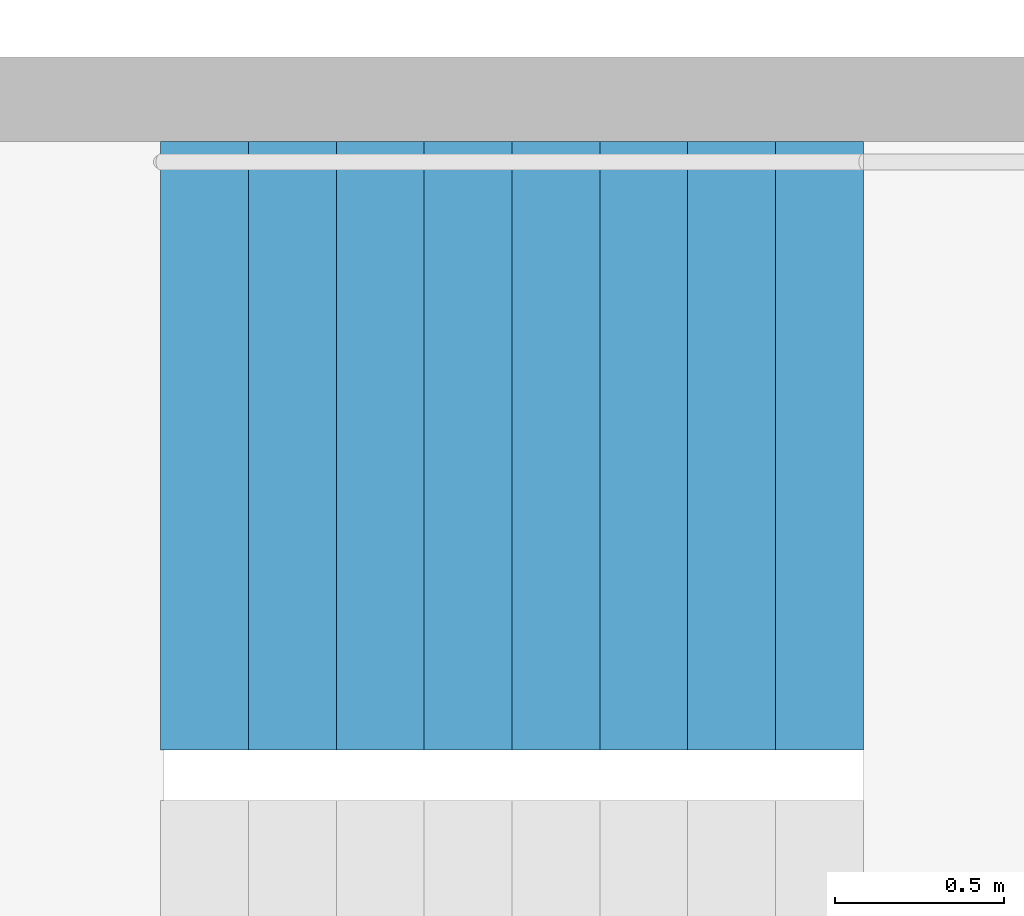
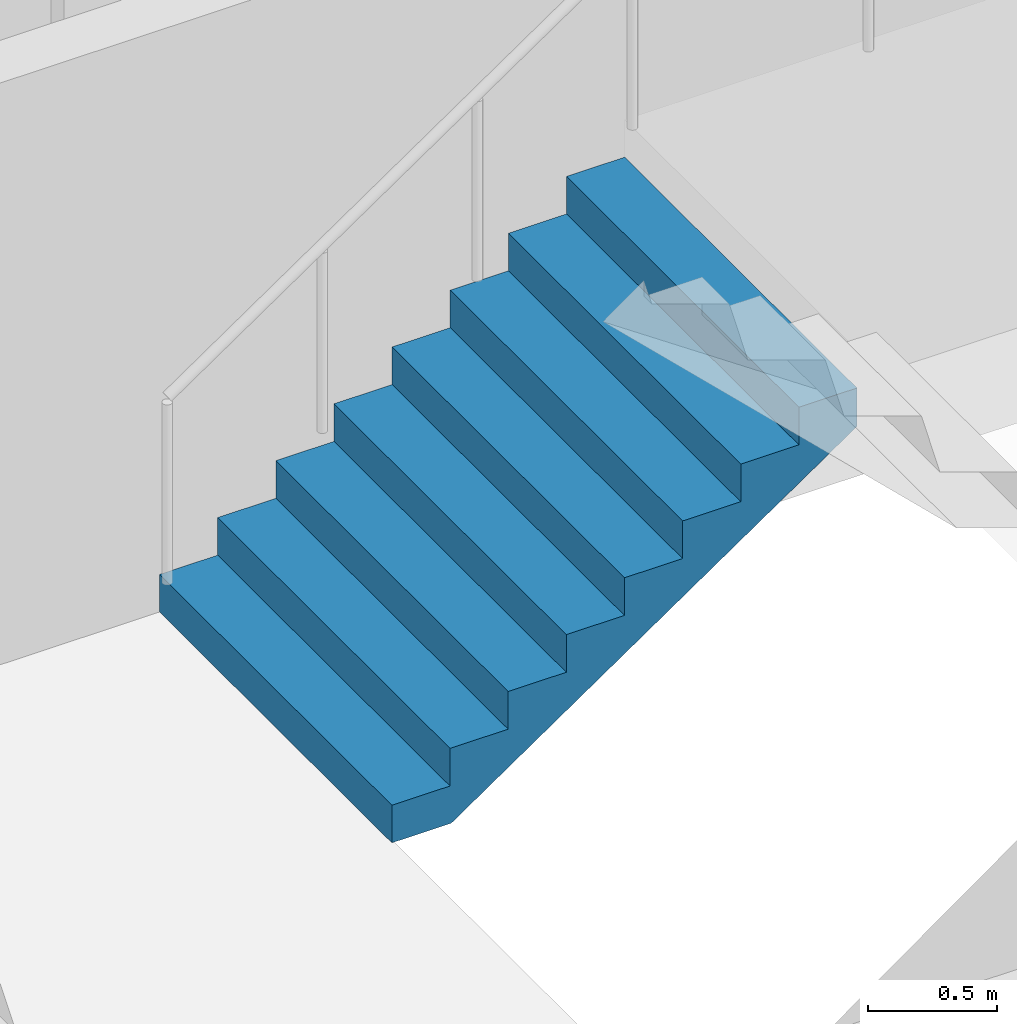
# One storey, part 24 of 27: 1 stair flight, 1 element without a shape of its own.
"""IFC4 building model written with IfcOpenShell, lengths in metres."""

from ifc_helpers import new_model, si_unit, direction, frame, origin, place, context, subcontext, project, spatial, triangles, material, type_object, element, aggregate, save


model = new_model("IFC4")

# Units and contexts
model_context = context("Model", 3, precision=1e-05, world=origin(), true_north=direction((0.0, 1.0)))
body_context = subcontext(model_context, "Body", "Model", "MODEL_VIEW")
ifc_project = project(units=[si_unit("LENGTHUNIT", "METRE"), si_unit("AREAUNIT", "SQUARE_METRE"), si_unit("VOLUMEUNIT", "CUBIC_METRE"), si_unit("PLANEANGLEUNIT", "RADIAN"), si_unit("MASSUNIT", "GRAM", prefix="KILO")], contexts=[model_context])

# Site, building, storey
site_placement = place(None, origin())
site = spatial("IfcSite", under=ifc_project, at=site_placement, CompositionType="ELEMENT")
building_placement = place(site_placement, origin())
building = spatial("IfcBuilding", under=site, at=building_placement, Name="Hakoniwa Tower and Hamabe Station Hall", CompositionType="ELEMENT")
storey_placement = place(building_placement, frame((0.0, 0.0, 166.199951171875)))
storey = spatial("IfcBuildingStorey", under=building, at=storey_placement, Name="L47", CompositionType="ELEMENT", Elevation=166.199951171875)

# Stair, stair flight
ifc_material_1 = material(Name="Concrete C40", Category="concrete")
stair_type = type_object("IfcStairType", Name="ESCAPE STAIR 1800", PredefinedType="HALF_TURN_STAIR", material=ifc_material_1)
stair_placement = place(storey_placement, origin())
stair = element("IfcStair", 1, at=stair_placement, inside=storey, type_object=stair_type, Name="Escape stair ST-4 L47", PredefinedType="HALF_TURN_STAIR")
ifc_material_2 = material(Name="Concrete C40", Category="concrete")
stair_flight_type = type_object("IfcStairFlightType", Name="STAIR FLIGHT 1800", PredefinedType="STRAIGHT", material=ifc_material_2)
stair_flight_placement = place(storey_placement, frame((23.39990234375, -4.64990234375, 0.0), z_axis=(0.0, 0.0, 1.0), x_axis=(1.0, 0.0, 0.0)))
stair_flight = element("IfcStairFlight", 2, at=stair_flight_placement, type_object=stair_flight_type, Name="ST-4 flight 1", NumberOfRisers=9, NumberOfTreads=8, PredefinedType="STRAIGHT", RiserHeight=0.177777778, TreadLength=0.26, context=body_context, shape_type="Tessellation", body=[
    triangles([(0.0, 0.89990234375, 0.0), (0.260009765625, 0.89990234375, 0.0), (0.265625, 0.89990234375, 0.0), (0.52001953125, 0.89990234375, 0.174072265625), (0.780029296875, 0.89990234375, 0.351806640625), (1.0400390625, 0.89990234375, 0.529541015625), (1.300048828125, 0.89990234375, 0.707275390625), (1.56005859375, 0.89990234375, 0.885009765625), (1.820068359375, 0.89990234375, 1.062744140625), (2.080078125, 0.89990234375, 1.24072265625), (2.080078125, 0.89990234375, 1.422119140625), (1.820068359375, 0.89990234375, 1.422119140625), (1.820068359375, 0.89990234375, 1.244384765625), (1.56005859375, 0.89990234375, 1.244384765625), (1.56005859375, 0.89990234375, 1.066650390625), (1.300048828125, 0.89990234375, 1.066650390625), (1.300048828125, 0.89990234375, 0.888916015625), (1.0400390625, 0.89990234375, 0.888916015625), (1.0400390625, 0.89990234375, 0.711181640625), (0.780029296875, 0.89990234375, 0.711181640625), (0.780029296875, 0.89990234375, 0.533447265625), (0.52001953125, 0.89990234375, 0.533447265625), (0.52001953125, 0.89990234375, 0.35546875), (0.265625, 0.89990234375, 0.35546875), (0.260009765625, 0.89990234375, 0.35546875), (0.260009765625, 0.89990234375, 0.177734375), (0.0, 0.89990234375, 0.177734375), (0.0, 0.06005859375, 0.0), (0.260009765625, 0.06005859375, 0.0), (0.265625, 0.06005859375, 0.0), (0.52001953125, 0.06005859375, 0.174072265625), (0.780029296875, 0.06005859375, 0.351806640625), (1.0400390625, 0.06005859375, 0.529541015625), (1.300048828125, 0.06005859375, 0.707275390625), (1.56005859375, 0.06005859375, 0.885009765625), (1.820068359375, 0.06005859375, 1.062744140625), (2.080078125, 0.06005859375, 1.24072265625), (2.080078125, 0.06005859375, 1.422119140625), (1.820068359375, 0.06005859375, 1.422119140625), (1.820068359375, 0.06005859375, 1.244384765625), (1.56005859375, 0.06005859375, 1.244384765625), (1.56005859375, 0.06005859375, 1.066650390625), (1.300048828125, 0.06005859375, 1.066650390625), (1.300048828125, 0.06005859375, 0.888916015625), (1.0400390625, 0.06005859375, 0.888916015625), (1.0400390625, 0.06005859375, 0.711181640625), (0.780029296875, 0.06005859375, 0.711181640625), (0.780029296875, 0.06005859375, 0.533447265625), (0.52001953125, 0.06005859375, 0.533447265625), (0.52001953125, 0.06005859375, 0.35546875), (0.265625, 0.06005859375, 0.35546875), (0.260009765625, 0.06005859375, 0.35546875), (0.260009765625, 0.06005859375, 0.177734375), (0.0, 0.06005859375, 0.177734375), (0.0, 0.04296875, 0.0), (0.260009765625, 0.04296875, 0.0), (0.265625, 0.04296875, 0.0), (0.52001953125, 0.04296875, 0.174072265625), (0.780029296875, 0.04296875, 0.351806640625), (1.0400390625, 0.04296875, 0.529541015625), (1.300048828125, 0.04296875, 0.707275390625), (1.56005859375, 0.04296875, 0.885009765625), (1.820068359375, 0.04296875, 1.062744140625), (2.080078125, 0.04296875, 1.24072265625), (2.080078125, 0.04296875, 1.422119140625), (1.820068359375, 0.04296875, 1.422119140625), (1.820068359375, 0.04296875, 1.244384765625), (1.56005859375, 0.04296875, 1.244384765625), (1.56005859375, 0.04296875, 1.066650390625), (1.300048828125, 0.04296875, 1.066650390625), (1.300048828125, 0.04296875, 0.888916015625), (1.0400390625, 0.04296875, 0.888916015625), (1.0400390625, 0.04296875, 0.711181640625), (0.780029296875, 0.04296875, 0.711181640625), (0.780029296875, 0.04296875, 0.533447265625), (0.52001953125, 0.04296875, 0.533447265625), (0.52001953125, 0.04296875, 0.35546875), (0.265625, 0.04296875, 0.35546875), (0.260009765625, 0.04296875, 0.35546875), (0.260009765625, 0.04296875, 0.177734375), (0.0, 0.04296875, 0.177734375), (0.0, 0.025634765625, 0.0), (0.260009765625, 0.025634765625, 0.0), (0.265625, 0.025634765625, 0.0), (0.52001953125, 0.025634765625, 0.174072265625), (0.780029296875, 0.025634765625, 0.351806640625), (1.0400390625, 0.025634765625, 0.529541015625), (1.300048828125, 0.025634765625, 0.707275390625), (1.56005859375, 0.025634765625, 0.885009765625), (1.820068359375, 0.025634765625, 1.062744140625), (2.080078125, 0.025634765625, 1.24072265625), (2.080078125, 0.025634765625, 1.422119140625), (1.820068359375, 0.025634765625, 1.422119140625), (1.820068359375, 0.025634765625, 1.244384765625), (1.56005859375, 0.025634765625, 1.244384765625), (1.56005859375, 0.025634765625, 1.066650390625), (1.300048828125, 0.025634765625, 1.066650390625), (1.300048828125, 0.025634765625, 0.888916015625), (1.0400390625, 0.025634765625, 0.888916015625), (1.0400390625, 0.025634765625, 0.711181640625), (0.780029296875, 0.025634765625, 0.711181640625), (0.780029296875, 0.025634765625, 0.533447265625), (0.52001953125, 0.025634765625, 0.533447265625), (0.52001953125, 0.025634765625, 0.35546875), (0.265625, 0.025634765625, 0.35546875), (0.260009765625, 0.025634765625, 0.35546875), (0.260009765625, 0.025634765625, 0.177734375), (0.0, 0.025634765625, 0.177734375), (0.0, 0.008544921875, 0.0), (0.260009765625, 0.008544921875, 0.0), (0.265625, 0.008544921875, 0.0), (0.52001953125, 0.008544921875, 0.174072265625), (0.780029296875, 0.008544921875, 0.351806640625), (1.0400390625, 0.008544921875, 0.529541015625), (1.300048828125, 0.008544921875, 0.707275390625), (1.56005859375, 0.008544921875, 0.885009765625), (1.820068359375, 0.008544921875, 1.062744140625), (2.080078125, 0.008544921875, 1.24072265625), (2.080078125, 0.008544921875, 1.422119140625), (1.820068359375, 0.008544921875, 1.422119140625), (1.820068359375, 0.008544921875, 1.244384765625), (1.56005859375, 0.008544921875, 1.244384765625), (1.56005859375, 0.008544921875, 1.066650390625), (1.300048828125, 0.008544921875, 1.066650390625), (1.300048828125, 0.008544921875, 0.888916015625), (1.0400390625, 0.008544921875, 0.888916015625), (1.0400390625, 0.008544921875, 0.711181640625), (0.780029296875, 0.008544921875, 0.711181640625), (0.780029296875, 0.008544921875, 0.533447265625), (0.52001953125, 0.008544921875, 0.533447265625), (0.52001953125, 0.008544921875, 0.35546875), (0.265625, 0.008544921875, 0.35546875), (0.260009765625, 0.008544921875, 0.35546875), (0.260009765625, 0.008544921875, 0.177734375), (0.0, 0.008544921875, 0.177734375), (0.0, -0.008544921875, 0.0), (0.260009765625, -0.008544921875, 0.0), (0.265625, -0.008544921875, 0.0), (0.52001953125, -0.008544921875, 0.174072265625), (0.780029296875, -0.008544921875, 0.351806640625), (1.0400390625, -0.008544921875, 0.529541015625), (1.300048828125, -0.008544921875, 0.707275390625), (1.56005859375, -0.008544921875, 0.885009765625), (1.820068359375, -0.008544921875, 1.062744140625), (2.080078125, -0.008544921875, 1.24072265625), (2.080078125, -0.008544921875, 1.422119140625), (1.820068359375, -0.008544921875, 1.422119140625), (1.820068359375, -0.008544921875, 1.244384765625), (1.56005859375, -0.008544921875, 1.244384765625), (1.56005859375, -0.008544921875, 1.066650390625), (1.300048828125, -0.008544921875, 1.066650390625), (1.300048828125, -0.008544921875, 0.888916015625), (1.0400390625, -0.008544921875, 0.888916015625), (1.0400390625, -0.008544921875, 0.711181640625), (0.780029296875, -0.008544921875, 0.711181640625), (0.780029296875, -0.008544921875, 0.533447265625), (0.52001953125, -0.008544921875, 0.533447265625), (0.52001953125, -0.008544921875, 0.35546875), (0.265625, -0.008544921875, 0.35546875), (0.260009765625, -0.008544921875, 0.35546875), (0.260009765625, -0.008544921875, 0.177734375), (0.0, -0.008544921875, 0.177734375), (0.0, -0.025634765625, 0.0), (0.260009765625, -0.025634765625, 0.0), (0.265625, -0.025634765625, 0.0), (0.52001953125, -0.025634765625, 0.174072265625), (0.780029296875, -0.025634765625, 0.351806640625), (1.0400390625, -0.025634765625, 0.529541015625), (1.300048828125, -0.025634765625, 0.707275390625), (1.56005859375, -0.025634765625, 0.885009765625), (1.820068359375, -0.025634765625, 1.062744140625), (2.080078125, -0.025634765625, 1.24072265625), (2.080078125, -0.025634765625, 1.422119140625), (1.820068359375, -0.025634765625, 1.422119140625), (1.820068359375, -0.025634765625, 1.244384765625), (1.56005859375, -0.025634765625, 1.244384765625), (1.56005859375, -0.025634765625, 1.066650390625), (1.300048828125, -0.025634765625, 1.066650390625), (1.300048828125, -0.025634765625, 0.888916015625), (1.0400390625, -0.025634765625, 0.888916015625), (1.0400390625, -0.025634765625, 0.711181640625), (0.780029296875, -0.025634765625, 0.711181640625), (0.780029296875, -0.025634765625, 0.533447265625), (0.52001953125, -0.025634765625, 0.533447265625), (0.52001953125, -0.025634765625, 0.35546875), (0.265625, -0.025634765625, 0.35546875), (0.260009765625, -0.025634765625, 0.35546875), (0.260009765625, -0.025634765625, 0.177734375), (0.0, -0.025634765625, 0.177734375), (0.0, -0.04296875, 0.0), (0.260009765625, -0.04296875, 0.0), (0.265625, -0.04296875, 0.0), (0.52001953125, -0.04296875, 0.174072265625), (0.780029296875, -0.04296875, 0.351806640625), (1.0400390625, -0.04296875, 0.529541015625), (1.300048828125, -0.04296875, 0.707275390625), (1.56005859375, -0.04296875, 0.885009765625), (1.820068359375, -0.04296875, 1.062744140625), (2.080078125, -0.04296875, 1.24072265625), (2.080078125, -0.04296875, 1.422119140625), (1.820068359375, -0.04296875, 1.422119140625), (1.820068359375, -0.04296875, 1.244384765625), (1.56005859375, -0.04296875, 1.244384765625), (1.56005859375, -0.04296875, 1.066650390625), (1.300048828125, -0.04296875, 1.066650390625), (1.300048828125, -0.04296875, 0.888916015625), (1.0400390625, -0.04296875, 0.888916015625), (1.0400390625, -0.04296875, 0.711181640625), (0.780029296875, -0.04296875, 0.711181640625), (0.780029296875, -0.04296875, 0.533447265625), (0.52001953125, -0.04296875, 0.533447265625), (0.52001953125, -0.04296875, 0.35546875), (0.265625, -0.04296875, 0.35546875), (0.260009765625, -0.04296875, 0.35546875), (0.260009765625, -0.04296875, 0.177734375), (0.0, -0.04296875, 0.177734375), (0.0, -0.06005859375, 0.0), (0.260009765625, -0.06005859375, 0.0), (0.265625, -0.06005859375, 0.0), (0.52001953125, -0.06005859375, 0.174072265625), (0.780029296875, -0.06005859375, 0.351806640625), (1.0400390625, -0.06005859375, 0.529541015625), (1.300048828125, -0.06005859375, 0.707275390625), (1.56005859375, -0.06005859375, 0.885009765625), (1.820068359375, -0.06005859375, 1.062744140625), (2.080078125, -0.06005859375, 1.24072265625), (2.080078125, -0.06005859375, 1.422119140625), (1.820068359375, -0.06005859375, 1.422119140625), (1.820068359375, -0.06005859375, 1.244384765625), (1.56005859375, -0.06005859375, 1.244384765625), (1.56005859375, -0.06005859375, 1.066650390625), (1.300048828125, -0.06005859375, 1.066650390625), (1.300048828125, -0.06005859375, 0.888916015625), (1.0400390625, -0.06005859375, 0.888916015625), (1.0400390625, -0.06005859375, 0.711181640625), (0.780029296875, -0.06005859375, 0.711181640625), (0.780029296875, -0.06005859375, 0.533447265625), (0.52001953125, -0.06005859375, 0.533447265625), (0.52001953125, -0.06005859375, 0.35546875), (0.265625, -0.06005859375, 0.35546875), (0.260009765625, -0.06005859375, 0.35546875), (0.260009765625, -0.06005859375, 0.177734375), (0.0, -0.06005859375, 0.177734375), (0.0, -0.89990234375, 0.0), (0.260009765625, -0.89990234375, 0.0), (0.265625, -0.89990234375, 0.0), (0.52001953125, -0.89990234375, 0.174072265625), (0.780029296875, -0.89990234375, 0.351806640625), (1.0400390625, -0.89990234375, 0.529541015625), (1.300048828125, -0.89990234375, 0.707275390625), (1.56005859375, -0.89990234375, 0.885009765625), (1.820068359375, -0.89990234375, 1.062744140625), (2.080078125, -0.89990234375, 1.24072265625), (2.080078125, -0.89990234375, 1.422119140625), (1.820068359375, -0.89990234375, 1.422119140625), (1.820068359375, -0.89990234375, 1.244384765625), (1.56005859375, -0.89990234375, 1.244384765625), (1.56005859375, -0.89990234375, 1.066650390625), (1.300048828125, -0.89990234375, 1.066650390625), (1.300048828125, -0.89990234375, 0.888916015625), (1.0400390625, -0.89990234375, 0.888916015625), (1.0400390625, -0.89990234375, 0.711181640625), (0.780029296875, -0.89990234375, 0.711181640625), (0.780029296875, -0.89990234375, 0.533447265625), (0.52001953125, -0.89990234375, 0.533447265625), (0.52001953125, -0.89990234375, 0.35546875), (0.265625, -0.89990234375, 0.35546875), (0.260009765625, -0.89990234375, 0.35546875), (0.260009765625, -0.89990234375, 0.177734375), (0.0, -0.89990234375, 0.177734375)], [[2, 27, 26], [245, 269, 270], [2, 1, 27], [245, 270, 244], [3, 25, 24], [246, 267, 268], [3, 26, 25], [246, 268, 269], [3, 2, 26], [246, 269, 245], [4, 24, 23], [247, 266, 267], [4, 3, 24], [247, 267, 246], [5, 22, 21], [248, 264, 265], [5, 23, 22], [248, 265, 266], [5, 4, 23], [248, 266, 247], [6, 20, 19], [249, 262, 263], [6, 21, 20], [249, 263, 264], [6, 5, 21], [249, 264, 248], [7, 18, 17], [250, 260, 261], [7, 19, 18], [250, 261, 262], [7, 6, 19], [250, 262, 249], [8, 16, 15], [251, 258, 259], [8, 17, 16], [251, 259, 260], [8, 7, 17], [251, 260, 250], [9, 14, 13], [252, 256, 257], [9, 15, 14], [252, 257, 258], [9, 8, 15], [252, 258, 251], [10, 12, 11], [253, 254, 255], [10, 13, 12], [253, 255, 256], [10, 9, 13], [253, 256, 252], [1, 2, 29], [1, 29, 28], [28, 29, 56], [28, 56, 55], [55, 56, 83], [55, 83, 82], [82, 83, 110], [82, 110, 109], [109, 110, 137], [109, 137, 136], [136, 137, 164], [136, 164, 163], [163, 164, 191], [163, 191, 190], [190, 191, 218], [190, 218, 217], [217, 218, 245], [217, 245, 244], [2, 3, 30], [2, 30, 29], [29, 30, 57], [29, 57, 56], [56, 57, 84], [56, 84, 83], [83, 84, 111], [83, 111, 110], [110, 111, 138], [110, 138, 137], [137, 138, 165], [137, 165, 164], [164, 165, 192], [164, 192, 191], [191, 192, 219], [191, 219, 218], [218, 219, 246], [218, 246, 245], [3, 4, 31], [3, 31, 30], [30, 31, 58], [30, 58, 57], [57, 58, 85], [57, 85, 84], [84, 85, 112], [84, 112, 111], [111, 112, 139], [111, 139, 138], [138, 139, 166], [138, 166, 165], [165, 166, 193], [165, 193, 192], [192, 193, 220], [192, 220, 219], [219, 220, 247], [219, 247, 246], [4, 5, 32], [4, 32, 31], [31, 32, 59], [31, 59, 58], [58, 59, 86], [58, 86, 85], [85, 86, 113], [85, 113, 112], [112, 113, 140], [112, 140, 139], [139, 140, 167], [139, 167, 166], [166, 167, 194], [166, 194, 193], [193, 194, 221], [193, 221, 220], [220, 221, 248], [220, 248, 247], [5, 6, 33], [5, 33, 32], [32, 33, 60], [32, 60, 59], [59, 60, 87], [59, 87, 86], [86, 87, 114], [86, 114, 113], [113, 114, 141], [113, 141, 140], [140, 141, 168], [140, 168, 167], [167, 168, 195], [167, 195, 194], [194, 195, 222], [194, 222, 221], [221, 222, 249], [221, 249, 248], [6, 7, 34], [6, 34, 33], [33, 34, 61], [33, 61, 60], [60, 61, 88], [60, 88, 87], [87, 88, 115], [87, 115, 114], [114, 115, 142], [114, 142, 141], [141, 142, 169], [141, 169, 168], [168, 169, 196], [168, 196, 195], [195, 196, 223], [195, 223, 222], [222, 223, 250], [222, 250, 249], [7, 8, 35], [7, 35, 34], [34, 35, 62], [34, 62, 61], [61, 62, 89], [61, 89, 88], [88, 89, 116], [88, 116, 115], [115, 116, 143], [115, 143, 142], [142, 143, 170], [142, 170, 169], [169, 170, 197], [169, 197, 196], [196, 197, 224], [196, 224, 223], [223, 224, 251], [223, 251, 250], [8, 9, 36], [8, 36, 35], [35, 36, 63], [35, 63, 62], [62, 63, 90], [62, 90, 89], [89, 90, 117], [89, 117, 116], [116, 117, 144], [116, 144, 143], [143, 144, 171], [143, 171, 170], [170, 171, 198], [170, 198, 197], [197, 198, 225], [197, 225, 224], [224, 225, 252], [224, 252, 251], [9, 10, 37], [9, 37, 36], [36, 37, 64], [36, 64, 63], [63, 64, 91], [63, 91, 90], [90, 91, 118], [90, 118, 117], [117, 118, 145], [117, 145, 144], [144, 145, 172], [144, 172, 171], [171, 172, 199], [171, 199, 198], [198, 199, 226], [198, 226, 225], [225, 226, 253], [225, 253, 252], [10, 11, 38], [10, 38, 37], [37, 38, 65], [37, 65, 64], [64, 65, 92], [64, 92, 91], [91, 92, 119], [91, 119, 118], [118, 119, 146], [118, 146, 145], [145, 146, 173], [145, 173, 172], [172, 173, 200], [172, 200, 199], [199, 200, 227], [199, 227, 226], [226, 227, 254], [226, 254, 253], [11, 12, 39], [11, 39, 38], [38, 39, 66], [38, 66, 65], [65, 66, 93], [65, 93, 92], [92, 93, 120], [92, 120, 119], [119, 120, 147], [119, 147, 146], [146, 147, 174], [146, 174, 173], [173, 174, 201], [173, 201, 200], [200, 201, 228], [200, 228, 227], [227, 228, 255], [227, 255, 254], [12, 13, 40], [12, 40, 39], [39, 40, 67], [39, 67, 66], [66, 67, 94], [66, 94, 93], [93, 94, 121], [93, 121, 120], [120, 121, 148], [120, 148, 147], [147, 148, 175], [147, 175, 174], [174, 175, 202], [174, 202, 201], [201, 202, 229], [201, 229, 228], [228, 229, 256], [228, 256, 255], [13, 14, 41], [13, 41, 40], [40, 41, 68], [40, 68, 67], [67, 68, 95], [67, 95, 94], [94, 95, 122], [94, 122, 121], [121, 122, 149], [121, 149, 148], [148, 149, 176], [148, 176, 175], [175, 176, 203], [175, 203, 202], [202, 203, 230], [202, 230, 229], [229, 230, 257], [229, 257, 256], [14, 15, 42], [14, 42, 41], [41, 42, 69], [41, 69, 68], [68, 69, 96], [68, 96, 95], [95, 96, 123], [95, 123, 122], [122, 123, 150], [122, 150, 149], [149, 150, 177], [149, 177, 176], [176, 177, 204], [176, 204, 203], [203, 204, 231], [203, 231, 230], [230, 231, 258], [230, 258, 257], [15, 16, 43], [15, 43, 42], [42, 43, 70], [42, 70, 69], [69, 70, 97], [69, 97, 96], [96, 97, 124], [96, 124, 123], [123, 124, 151], [123, 151, 150], [150, 151, 178], [150, 178, 177], [177, 178, 205], [177, 205, 204], [204, 205, 232], [204, 232, 231], [231, 232, 259], [231, 259, 258], [16, 17, 44], [16, 44, 43], [43, 44, 71], [43, 71, 70], [70, 71, 98], [70, 98, 97], [97, 98, 125], [97, 125, 124], [124, 125, 152], [124, 152, 151], [151, 152, 179], [151, 179, 178], [178, 179, 206], [178, 206, 205], [205, 206, 233], [205, 233, 232], [232, 233, 260], [232, 260, 259], [17, 18, 45], [17, 45, 44], [44, 45, 72], [44, 72, 71], [71, 72, 99], [71, 99, 98], [98, 99, 126], [98, 126, 125], [125, 126, 153], [125, 153, 152], [152, 153, 180], [152, 180, 179], [179, 180, 207], [179, 207, 206], [206, 207, 234], [206, 234, 233], [233, 234, 261], [233, 261, 260], [18, 19, 46], [18, 46, 45], [45, 46, 73], [45, 73, 72], [72, 73, 100], [72, 100, 99], [99, 100, 127], [99, 127, 126], [126, 127, 154], [126, 154, 153], [153, 154, 181], [153, 181, 180], [180, 181, 208], [180, 208, 207], [207, 208, 235], [207, 235, 234], [234, 235, 262], [234, 262, 261], [19, 20, 47], [19, 47, 46], [46, 47, 74], [46, 74, 73], [73, 74, 101], [73, 101, 100], [100, 101, 128], [100, 128, 127], [127, 128, 155], [127, 155, 154], [154, 155, 182], [154, 182, 181], [181, 182, 209], [181, 209, 208], [208, 209, 236], [208, 236, 235], [235, 236, 263], [235, 263, 262], [20, 21, 48], [20, 48, 47], [47, 48, 75], [47, 75, 74], [74, 75, 102], [74, 102, 101], [101, 102, 129], [101, 129, 128], [128, 129, 156], [128, 156, 155], [155, 156, 183], [155, 183, 182], [182, 183, 210], [182, 210, 209], [209, 210, 237], [209, 237, 236], [236, 237, 264], [236, 264, 263], [21, 22, 49], [21, 49, 48], [48, 49, 76], [48, 76, 75], [75, 76, 103], [75, 103, 102], [102, 103, 130], [102, 130, 129], [129, 130, 157], [129, 157, 156], [156, 157, 184], [156, 184, 183], [183, 184, 211], [183, 211, 210], [210, 211, 238], [210, 238, 237], [237, 238, 265], [237, 265, 264], [22, 23, 50], [22, 50, 49], [49, 50, 77], [49, 77, 76], [76, 77, 104], [76, 104, 103], [103, 104, 131], [103, 131, 130], [130, 131, 158], [130, 158, 157], [157, 158, 185], [157, 185, 184], [184, 185, 212], [184, 212, 211], [211, 212, 239], [211, 239, 238], [238, 239, 266], [238, 266, 265], [23, 24, 51], [23, 51, 50], [50, 51, 78], [50, 78, 77], [77, 78, 105], [77, 105, 104], [104, 105, 132], [104, 132, 131], [131, 132, 159], [131, 159, 158], [158, 159, 186], [158, 186, 185], [185, 186, 213], [185, 213, 212], [212, 213, 240], [212, 240, 239], [239, 240, 267], [239, 267, 266], [24, 25, 52], [24, 52, 51], [51, 52, 79], [51, 79, 78], [78, 79, 106], [78, 106, 105], [105, 106, 133], [105, 133, 132], [132, 133, 160], [132, 160, 159], [159, 160, 187], [159, 187, 186], [186, 187, 214], [186, 214, 213], [213, 214, 241], [213, 241, 240], [240, 241, 268], [240, 268, 267], [25, 26, 53], [25, 53, 52], [52, 53, 80], [52, 80, 79], [79, 80, 107], [79, 107, 106], [106, 107, 134], [106, 134, 133], [133, 134, 161], [133, 161, 160], [160, 161, 188], [160, 188, 187], [187, 188, 215], [187, 215, 214], [214, 215, 242], [214, 242, 241], [241, 242, 269], [241, 269, 268], [26, 27, 54], [26, 54, 53], [53, 54, 81], [53, 81, 80], [80, 81, 108], [80, 108, 107], [107, 108, 135], [107, 135, 134], [134, 135, 162], [134, 162, 161], [161, 162, 189], [161, 189, 188], [188, 189, 216], [188, 216, 215], [215, 216, 243], [215, 243, 242], [242, 243, 270], [242, 270, 269], [27, 1, 28], [27, 28, 54], [54, 28, 55], [54, 55, 81], [81, 55, 82], [81, 82, 108], [108, 82, 109], [108, 109, 135], [135, 109, 136], [135, 136, 162], [162, 136, 163], [162, 163, 189], [189, 163, 190], [189, 190, 216], [216, 190, 217], [216, 217, 243], [243, 217, 244], [243, 244, 270]], closed=True),
])
aggregate(stair, [stair_flight])

save(model, "model.ifc")
